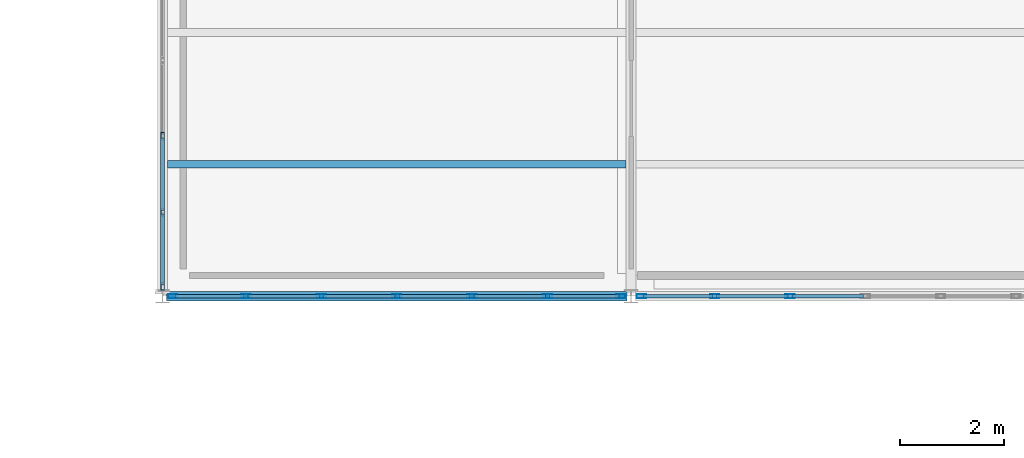
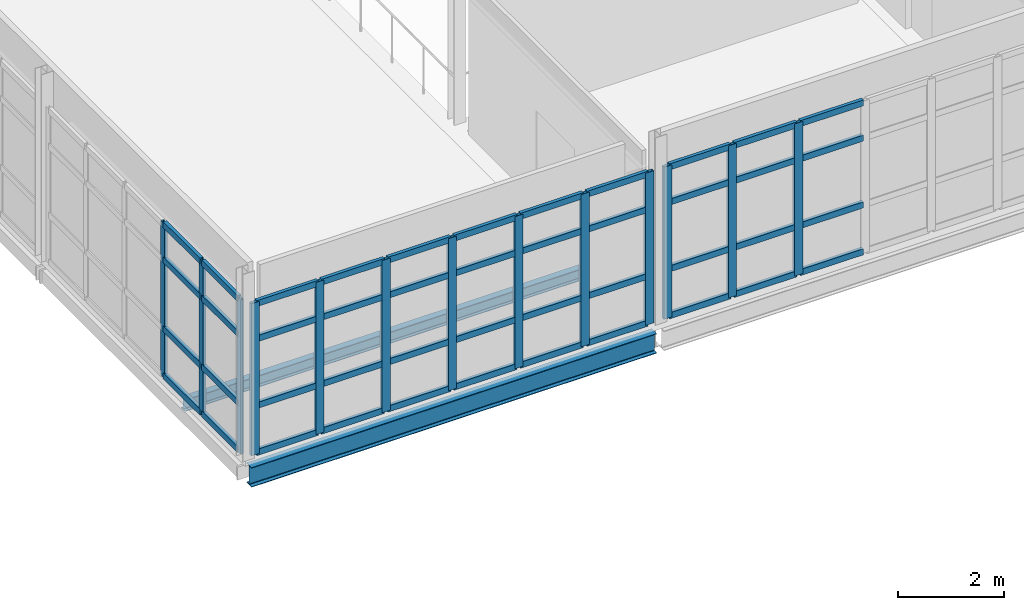
# One storey, part 14 of 48: 57 members, 2 beams, 3 elements without a shape of their own.
"""IFC4 building model written with IfcOpenShell, lengths in metres."""

import ifcopenshell
import ifcopenshell.guid

model = None  # the IFC model being written
_history = None  # IfcOwnerHistory: only IFC2X3 demands one
_inside = {}  # id of a spatial element -> (the spatial element, [elements in it])
_under = {}  # id of a project, library or spatial element -> (it, [spatial elements below it])
_declared = {}  # id of a project -> (the project, [libraries it declares])
_typed = {}  # id of a type object -> (the type object, [elements of that type])
_made_of = {}  # id of a material, layer set ... -> (it, [elements and type objects made of it])


def new_model(schema):
    """Start an empty IFC model of exactly this schema.

    Asked for "IFC4X3", IfcOpenShell would pick the latest addendum, in which some entities
    have other attributes; the version numbers below select the first issue.
    IFC2X3 requires an IfcOwnerHistory on every rooted entity: one is made here for all.
    """
    global model, _history
    if schema == "IFC4X3":
        model = ifcopenshell.file(schema_version=(4, 3, 0, 0))
    else:
        model = ifcopenshell.file(schema=schema)
    _inside.clear()
    _under.clear()
    _declared.clear()
    _typed.clear()
    _made_of.clear()
    _history = None
    if model.schema == "IFC2X3":
        org = make("IfcOrganization", Name="unknown")
        user = make(
            "IfcPersonAndOrganization",
            ThePerson=make("IfcPerson", FamilyName="unknown"),
            TheOrganization=org,
        )
        app = make(
            "IfcApplication",
            ApplicationDeveloper=org,
            Version="unknown",
            ApplicationFullName="unknown",
            ApplicationIdentifier="unknown",
        )
        _history = make(
            "IfcOwnerHistory",
            OwningUser=user,
            OwningApplication=app,
            ChangeAction="ADDED",
            CreationDate=0,
        )
    return model


def make(cls, **values):
    """One entity of the class cls with the attributes given. An attribute that is None is left unset."""
    return model.create_entity(
        cls, **{name: value for name, value in values.items() if value is not None}
    )


def rooted(cls, **values):
    """An entity with a GlobalId (a new one), such as an element, a storey or a relation."""
    return make(cls, GlobalId=ifcopenshell.guid.new(), OwnerHistory=_history, **values)


def si_unit(unit_type, name, prefix=None):
    """IfcSIUnit, for example si_unit("LENGTHUNIT", "METRE", prefix="MILLI")."""
    return make("IfcSIUnit", UnitType=unit_type, Prefix=prefix, Name=name)


def assignment(units):
    """IfcUnitAssignment: the units of a project."""
    return None if units is None else make("IfcUnitAssignment", Units=units)


def point(xyz):
    """IfcCartesianPoint."""
    return None if xyz is None else make("IfcCartesianPoint", Coordinates=xyz)


def direction(xyz):
    """IfcDirection."""
    return None if xyz is None else make("IfcDirection", DirectionRatios=xyz)


def frame(location, z_axis=None, x_axis=None):
    """IfcAxis2Placement3D, a coordinate frame: its origin and axes. An axis left out is left unset."""
    return make(
        "IfcAxis2Placement3D",
        Location=point(location),
        Axis=direction(z_axis),
        RefDirection=direction(x_axis),
    )


def frame_2d(location, x_axis=None):
    """IfcAxis2Placement2D, a coordinate frame in the plane: its origin and x axis."""
    return make(
        "IfcAxis2Placement2D", Location=point(location), RefDirection=direction(x_axis)
    )


def origin():
    """The frame at (0, 0, 0) with its axes left unset."""
    return frame((0.0, 0.0, 0.0))


def origin_2d():
    """The frame at (0, 0) in the plane with its x axis left unset."""
    return frame_2d((0.0, 0.0))


def place(relative_to, where):
    """IfcLocalPlacement: puts the frame where relative to a parent placement (None: the world)."""
    return make(
        "IfcLocalPlacement", PlacementRelTo=relative_to, RelativePlacement=where
    )


def context(
    kind, dimensions, precision=None, world=None, true_north=None, identifier=None
):
    """IfcGeometricRepresentationContext, for example the 3D "Model" context."""
    return make(
        "IfcGeometricRepresentationContext",
        ContextIdentifier=identifier,
        ContextType=kind,
        CoordinateSpaceDimension=dimensions,
        Precision=precision,
        WorldCoordinateSystem=world,
        TrueNorth=true_north,
    )


def subcontext(parent, identifier, kind, view, scale=None):
    """IfcGeometricRepresentationSubContext, for example "Body" below "Model"."""
    return make(
        "IfcGeometricRepresentationSubContext",
        ContextIdentifier=identifier,
        ContextType=kind,
        ParentContext=parent,
        TargetScale=scale,
        TargetView=view,
    )


def project(units=None, contexts=None):
    """IfcProject with its units and contexts."""
    return rooted(
        "IfcProject",
        Name="project",
        RepresentationContexts=contexts,
        UnitsInContext=assignment(units),
    )


def spatial(cls, under=None, at=None, **own):
    """A site, building, storey or space (cls), placed at a placement, below another one or the project."""
    s = rooted(cls, ObjectPlacement=at, **own)
    if under is not None:
        _under.setdefault(under.id(), (under, []))[1].append(s)
    return s


def profile(cls, at=None, kind="AREA", **sizes):
    """A parametric profile (cls). Its sizes go by their IFC names, for example OverallWidth=200.0."""
    return make(cls, ProfileType=kind, Position=at, **sizes)


def hollow_rectangle(**sizes):
    """IfcRectangleHollowProfileDef."""
    return profile("IfcRectangleHollowProfileDef", **sizes)


def i_section(**sizes):
    """IfcIShapeProfileDef."""
    return profile("IfcIShapeProfileDef", **sizes)


def extrude(swept, where, along, depth):
    """IfcExtrudedAreaSolid: the profile swept, set in the frame where, extruded along a direction by depth."""
    return make(
        "IfcExtrudedAreaSolid",
        SweptArea=swept,
        Position=where,
        ExtrudedDirection=direction(along),
        Depth=depth,
    )


def shape(context_of_items, identifier, shape_type, items):
    """IfcShapeRepresentation: the items that make up one representation, for example the "Body"."""
    return make(
        "IfcShapeRepresentation",
        ContextOfItems=context_of_items,
        RepresentationIdentifier=identifier,
        RepresentationType=shape_type,
        Items=items,
    )


def material(Name=None, Category=None):
    """IfcMaterial."""
    return make("IfcMaterial", Name=Name, Category=Category)


def material_profile(
    of_material, cross_section, Name=None, Category=None, Priority=None
):
    """IfcMaterialProfile: a cross section and its material."""
    return make(
        "IfcMaterialProfile",
        Name=Name,
        Material=of_material,
        Profile=cross_section,
        Priority=Priority,
        Category=Category,
    )


def profile_set(profiles, Name=None, composite=None):
    """IfcMaterialProfileSet."""
    return make(
        "IfcMaterialProfileSet",
        Name=Name,
        MaterialProfiles=profiles,
        CompositeProfile=composite,
    )


def made_of(thing, what):
    """Note that an element or type object is made of a material, layer set ...; save() writes the relation."""
    if what is not None:
        _made_of.setdefault(what.id(), (what, []))[1].append(thing)
    return thing


def type_object(cls, material=None, **own):
    """A type object (cls), such as IfcWallType, which elements share."""
    return made_of(rooted(cls, **own), material)


def element(
    cls,
    number,
    at=None,
    inside=None,
    cuts=None,
    type_object=None,
    material=None,
    context=None,
    identifier="Body",
    shape_type=None,
    held_by="IfcProductDefinitionShape",
    body=None,
    shapes=None,
    **own,
):
    """One element of the class cls, such as IfcWall. Its Tag is "e" and its number.

    at: its placement. inside: the storey or other place that contains it. cuts: it is an
    opening in that element (IfcRelVoidsElement). A single representation is given by context,
    identifier, shape_type and body (its items); several are given by shapes. held_by: the class
    of the entity that holds the representations. save() writes the other relations.
    """
    e = rooted(cls, Tag="e%d" % number, ObjectPlacement=at, **own)
    if body is not None:
        shapes = [shape(context, identifier, shape_type, body)]
    if shapes is not None:
        e.Representation = make(held_by, Representations=shapes)
    if inside is not None:
        _inside.setdefault(inside.id(), (inside, []))[1].append(e)
    if cuts is not None:
        rooted(
            "IfcRelVoidsElement", RelatingBuildingElement=cuts, RelatedOpeningElement=e
        )
    if type_object is not None:
        _typed.setdefault(type_object.id(), (type_object, []))[1].append(e)
    return made_of(e, material)


def aggregate(whole, parts):
    """IfcRelAggregates: a whole, such as a stair, and the parts it consists of."""
    return rooted("IfcRelAggregates", RelatingObject=whole, RelatedObjects=parts)


def save(model, path):
    """Write the relations noted so far, then the file.

    IfcRelAggregates (storeys below a building ...), IfcRelContainedInSpatialStructure (elements
    in a storey), IfcRelDefinesByType, IfcRelAssociatesMaterial and IfcRelDeclares: one each for
    every whole, place, type object, material and project.
    """
    for whole, parts in _under.values():
        aggregate(whole, parts)
    for where, things in _inside.values():
        rooted(
            "IfcRelContainedInSpatialStructure",
            RelatedElements=things,
            RelatingStructure=where,
        )
    for kind, things in _typed.values():
        rooted("IfcRelDefinesByType", RelatedObjects=things, RelatingType=kind)
    for what, things in _made_of.values():
        rooted("IfcRelAssociatesMaterial", RelatedObjects=things, RelatingMaterial=what)
    for by, libraries in _declared.values():
        rooted("IfcRelDeclares", RelatingContext=by, RelatedDefinitions=libraries)
    model.write(path)


model = new_model("IFC4")

# Units and contexts
model_context = context("Model", 3, precision=1e-05, world=origin(), true_north=direction((0.0, 1.0)))
body_context = subcontext(model_context, "Body", "Model", "MODEL_VIEW")
ifc_project = project(units=[si_unit("LENGTHUNIT", "METRE"), si_unit("AREAUNIT", "SQUARE_METRE"), si_unit("VOLUMEUNIT", "CUBIC_METRE"), si_unit("PLANEANGLEUNIT", "RADIAN"), si_unit("MASSUNIT", "GRAM", prefix="KILO")], contexts=[model_context])

# Site, building, storey
site_placement = place(None, origin())
site = spatial("IfcSite", under=ifc_project, at=site_placement, CompositionType="ELEMENT")
building_placement = place(site_placement, origin())
building = spatial("IfcBuilding", under=site, at=building_placement, Name="Caisbarro Railhouse Central Library", CompositionType="ELEMENT")
storey_placement = place(building_placement, frame((0.0, 0.0, 18.0)))
storey = spatial("IfcBuildingStorey", under=building, at=storey_placement, Name="L04", CompositionType="ELEMENT", Elevation=18.0)

# Beams
ifc_material_1 = material(Name="Steel ASTM A572 Grade 50", Category="steel")
ifc_material_profile_1 = material_profile(ifc_material_1, i_section(OverallWidth=0.14794921875, OverallDepth=0.26611328125, WebThickness=0.007568359375, FlangeThickness=0.012939453125, FilletRadius=0.010009765625, at=origin_2d()), Name="W250X44.8")
ifc_profile_set_1 = profile_set([ifc_material_profile_1], Name="Steel ASTM A572 Grade 50")
beam_type_1 = type_object("IfcBeamType", Name="BM-J04", PredefinedType="JOIST", material=ifc_profile_set_1)
beam_1_placement = place(storey_placement, frame((117.10009765625, 70.933349609375, -0.35302734375), z_axis=(1.0, 0.0, 0.0), x_axis=(0.0, 1.0, 0.0)))
element("IfcBeam", 1, at=beam_1_placement, inside=storey, type_object=beam_type_1, Name="J04 beam L04 #2116", PredefinedType="JOIST", context=body_context, shape_type="SweptSolid", body=[
    extrude(i_section(OverallWidth=0.14794921875, OverallDepth=0.26611328125, WebThickness=0.007568359375, FlangeThickness=0.012939453125, FilletRadius=0.010009765625, at=origin_2d()), origin(), (0.0, 0.0, 1.0), 8.804931640625),
])
ifc_material_profile_2 = material_profile(ifc_material_1, i_section(OverallWidth=0.18994140625, OverallDepth=0.45703125, WebThickness=0.009033203125, FlangeThickness=0.014404296875, FilletRadius=0.01806640625, at=origin_2d()), Name="W460X74.0")
ifc_profile_set_2 = profile_set([ifc_material_profile_2], Name="Steel ASTM A572 Grade 50")
beam_type_2 = type_object("IfcBeamType", Name="BM-SP01", PredefinedType="SPANDREL", material=ifc_profile_set_2)
beam_2_placement = place(storey_placement, frame((117.080078125, 68.39990234375, -0.448486328125), z_axis=(1.0, 0.0, 0.0), x_axis=(0.0, 1.0, 0.0)))
element("IfcBeam", 2, at=beam_2_placement, inside=storey, type_object=beam_type_2, Name="SP01 beam L04 #2075", PredefinedType="SPANDREL", context=body_context, shape_type="SweptSolid", body=[
    extrude(i_section(OverallWidth=0.18994140625, OverallDepth=0.45703125, WebThickness=0.009033203125, FlangeThickness=0.014404296875, FilletRadius=0.01806640625, at=origin_2d()), origin(), (0.0, 0.0, 1.0), 8.83984375),
])

# Curtain wall, members
ifc_material_2 = material(Name="Anodised architectural aluminium", Category="aluminium")
curtain_wall_type = type_object("IfcCurtainWallType", Name="CW-CW02", PredefinedType="NOTDEFINED", material=ifc_material_2)
curtain_wall_1_placement = place(storey_placement, origin())
curtain_wall_1 = element("IfcCurtainWall", 3, at=curtain_wall_1_placement, inside=storey, type_object=curtain_wall_type, Name="CW02 curtain wall L04 #161", PredefinedType="NOTDEFINED")
ifc_material_profile_3 = material_profile(ifc_material_2, hollow_rectangle(XDim=0.074951171875, YDim=0.179931640625, WallThickness=0.00439453125, at=origin_2d()), Name="ALU-MUL-75X180")
ifc_profile_set_3 = profile_set([ifc_material_profile_3], Name="Anodised architectural aluminium")
member_type_1 = type_object("IfcMemberType", Name="CWM-M01", PredefinedType="MULLION", material=ifc_profile_set_3)
member_1_placement = place(storey_placement, frame((117.197509765625, 68.39990234375, 0.0), z_axis=(0.0, 0.0, 1.0), x_axis=(0.0, 1.0, 0.0)))
member_1 = element("IfcMember", 4, at=member_1_placement, type_object=member_type_1, Name="CW02 mullion 1", PredefinedType="MULLION", context=body_context, shape_type="SweptSolid", body=[
    extrude(hollow_rectangle(XDim=0.074951171875, YDim=0.179931640625, WallThickness=0.00439453125, at=origin_2d()), origin(), (0.0, 0.0, 1.0), 3.510009765625),
])
member_2_placement = place(storey_placement, frame((118.606689453125, 68.39990234375, 0.0), z_axis=(0.0, 0.0, 1.0), x_axis=(0.0, 1.0, 0.0)))
member_2 = element("IfcMember", 5, at=member_2_placement, type_object=member_type_1, Name="CW02 mullion 2", PredefinedType="MULLION", context=body_context, shape_type="SweptSolid", body=[
    extrude(hollow_rectangle(XDim=0.074951171875, YDim=0.179931640625, WallThickness=0.00439453125, at=origin_2d()), origin(), (0.0, 0.0, 1.0), 3.510009765625),
])
member_3_placement = place(storey_placement, frame((120.05322265625, 68.39990234375, 0.0), z_axis=(0.0, 0.0, 1.0), x_axis=(0.0, 1.0, 0.0)))
member_3 = element("IfcMember", 6, at=member_3_placement, type_object=member_type_1, Name="CW02 mullion 3", PredefinedType="MULLION", context=body_context, shape_type="SweptSolid", body=[
    extrude(hollow_rectangle(XDim=0.074951171875, YDim=0.179931640625, WallThickness=0.00439453125, at=origin_2d()), origin(), (0.0, 0.0, 1.0), 3.510009765625),
])
member_4_placement = place(storey_placement, frame((121.5, 68.39990234375, 0.0), z_axis=(0.0, 0.0, 1.0), x_axis=(0.0, 1.0, 0.0)))
member_4 = element("IfcMember", 7, at=member_4_placement, type_object=member_type_1, Name="CW02 mullion 4", PredefinedType="MULLION", context=body_context, shape_type="SweptSolid", body=[
    extrude(hollow_rectangle(XDim=0.074951171875, YDim=0.179931640625, WallThickness=0.00439453125, at=origin_2d()), origin(), (0.0, 0.0, 1.0), 3.510009765625),
])
member_5_placement = place(storey_placement, frame((122.94677734375, 68.39990234375, 0.0), z_axis=(0.0, 0.0, 1.0), x_axis=(0.0, 1.0, 0.0)))
member_5 = element("IfcMember", 8, at=member_5_placement, type_object=member_type_1, Name="CW02 mullion 5", PredefinedType="MULLION", context=body_context, shape_type="SweptSolid", body=[
    extrude(hollow_rectangle(XDim=0.074951171875, YDim=0.179931640625, WallThickness=0.00439453125, at=origin_2d()), origin(), (0.0, 0.0, 1.0), 3.510009765625),
])
member_6_placement = place(storey_placement, frame((124.393310546875, 68.39990234375, 0.0), z_axis=(0.0, 0.0, 1.0), x_axis=(0.0, 1.0, 0.0)))
member_6 = element("IfcMember", 9, at=member_6_placement, type_object=member_type_1, Name="CW02 mullion 6", PredefinedType="MULLION", context=body_context, shape_type="SweptSolid", body=[
    extrude(hollow_rectangle(XDim=0.074951171875, YDim=0.179931640625, WallThickness=0.00439453125, at=origin_2d()), origin(), (0.0, 0.0, 1.0), 3.510009765625),
])
member_7_placement = place(storey_placement, frame((125.802490234375, 68.39990234375, 0.0), z_axis=(0.0, 0.0, 1.0), x_axis=(0.0, 1.0, 0.0)))
member_7 = element("IfcMember", 10, at=member_7_placement, type_object=member_type_1, Name="CW02 mullion 7", PredefinedType="MULLION", context=body_context, shape_type="SweptSolid", body=[
    extrude(hollow_rectangle(XDim=0.074951171875, YDim=0.179931640625, WallThickness=0.00439453125, at=origin_2d()), origin(), (0.0, 0.0, 1.0), 3.510009765625),
])

curtain_wall_2_placement = place(storey_placement, origin())
curtain_wall_2 = element("IfcCurtainWall", 11, at=curtain_wall_2_placement, inside=storey, type_object=curtain_wall_type, Name="CW02 curtain wall L04 #162", PredefinedType="NOTDEFINED")
member_8_placement = place(storey_placement, frame((126.197509765625, 68.39990234375, 0.0), z_axis=(0.0, 0.0, 1.0), x_axis=(0.0, 1.0, 0.0)))
member_8 = element("IfcMember", 12, at=member_8_placement, type_object=member_type_1, Name="CW02 mullion 1", PredefinedType="MULLION", context=body_context, shape_type="SweptSolid", body=[
    extrude(hollow_rectangle(XDim=0.074951171875, YDim=0.179931640625, WallThickness=0.00439453125, at=origin_2d()), origin(), (0.0, 0.0, 1.0), 3.510009765625),
])
member_9_placement = place(storey_placement, frame((127.606689453125, 68.39990234375, 0.0), z_axis=(0.0, 0.0, 1.0), x_axis=(0.0, 1.0, 0.0)))
member_9 = element("IfcMember", 13, at=member_9_placement, type_object=member_type_1, Name="CW02 mullion 2", PredefinedType="MULLION", context=body_context, shape_type="SweptSolid", body=[
    extrude(hollow_rectangle(XDim=0.074951171875, YDim=0.179931640625, WallThickness=0.00439453125, at=origin_2d()), origin(), (0.0, 0.0, 1.0), 3.510009765625),
])
member_10_placement = place(storey_placement, frame((129.05322265625, 68.39990234375, 0.0), z_axis=(0.0, 0.0, 1.0), x_axis=(0.0, 1.0, 0.0)))
member_10 = element("IfcMember", 14, at=member_10_placement, type_object=member_type_1, Name="CW02 mullion 3", PredefinedType="MULLION", context=body_context, shape_type="SweptSolid", body=[
    extrude(hollow_rectangle(XDim=0.074951171875, YDim=0.179931640625, WallThickness=0.00439453125, at=origin_2d()), origin(), (0.0, 0.0, 1.0), 3.510009765625),
])

curtain_wall_3_placement = place(storey_placement, origin())
curtain_wall_3 = element("IfcCurtainWall", 15, at=curtain_wall_3_placement, inside=storey, type_object=curtain_wall_type, Name="CW02 curtain wall L04 #155", PredefinedType="NOTDEFINED")
ifc_material_profile_4 = material_profile(ifc_material_2, hollow_rectangle(XDim=0.06494140625, YDim=0.14990234375, WallThickness=0.00390625, at=origin_2d()), Name="ALU-MUL-65X150")
ifc_profile_set_4 = profile_set([ifc_material_profile_4], Name="Anodised architectural aluminium")
member_type_2 = type_object("IfcMemberType", Name="CWM-M02", PredefinedType="MULLION", material=ifc_profile_set_4)
member_11_placement = place(storey_placement, frame((117.0, 68.592529296875, 0.0), z_axis=(0.0, 0.0, 1.0), x_axis=(-1.0, 0.0, 0.0)))
member_11 = element("IfcMember", 16, at=member_11_placement, type_object=member_type_2, Name="CW02 mullion 1", PredefinedType="MULLION", context=body_context, shape_type="SweptSolid", body=[
    extrude(hollow_rectangle(XDim=0.06494140625, YDim=0.14990234375, WallThickness=0.00390625, at=origin_2d()), origin(), (0.0, 0.0, 1.0), 3.56005859375),
])
member_12_placement = place(storey_placement, frame((117.0, 70.01611328125, 0.0), z_axis=(0.0, 0.0, 1.0), x_axis=(-1.0, 0.0, 0.0)))
member_12 = element("IfcMember", 17, at=member_12_placement, type_object=member_type_2, Name="CW02 mullion 2", PredefinedType="MULLION", context=body_context, shape_type="SweptSolid", body=[
    extrude(hollow_rectangle(XDim=0.06494140625, YDim=0.14990234375, WallThickness=0.00390625, at=origin_2d()), origin(), (0.0, 0.0, 1.0), 3.56005859375),
])
member_13_placement = place(storey_placement, frame((117.0, 71.471923828125, 0.0), z_axis=(0.0, 0.0, 1.0), x_axis=(-1.0, 0.0, 0.0)))
member_13 = element("IfcMember", 18, at=member_13_placement, type_object=member_type_2, Name="CW02 mullion 3", PredefinedType="MULLION", context=body_context, shape_type="SweptSolid", body=[
    extrude(hollow_rectangle(XDim=0.06494140625, YDim=0.14990234375, WallThickness=0.00390625, at=origin_2d()), origin(), (0.0, 0.0, 1.0), 3.56005859375),
])
ifc_material_profile_5 = material_profile(ifc_material_2, hollow_rectangle(XDim=0.074951171875, YDim=0.139892578125, WallThickness=0.00390625, at=origin_2d()), Name="ALU-TRN-75X140")
ifc_profile_set_5 = profile_set([ifc_material_profile_5], Name="Anodised architectural aluminium")
member_type_3 = type_object("IfcMemberType", Name="CWT-T01", PredefinedType="USERDEFINED", material=ifc_profile_set_5)
member_14_placement = place(storey_placement, frame((117.0, 68.625, 0.03759765625), z_axis=(0.0, 1.0, 0.0), x_axis=(-1.0, 0.0, 0.0)))
member_14 = element("IfcMember", 19, at=member_14_placement, type_object=member_type_3, Name="CW02 transom 1.1", ObjectType="TRANSOM", PredefinedType="USERDEFINED", context=body_context, shape_type="SweptSolid", body=[
    extrude(hollow_rectangle(XDim=0.074951171875, YDim=0.139892578125, WallThickness=0.00390625, at=origin_2d()), origin(), (0.0, 0.0, 1.0), 1.3583984375),
])
member_15_placement = place(storey_placement, frame((117.0, 68.625, 1.1201171875), z_axis=(0.0, 1.0, 0.0), x_axis=(-1.0, 0.0, 0.0)))
member_15 = element("IfcMember", 20, at=member_15_placement, type_object=member_type_3, Name="CW02 transom 1.2", ObjectType="TRANSOM", PredefinedType="USERDEFINED", context=body_context, shape_type="SweptSolid", body=[
    extrude(hollow_rectangle(XDim=0.074951171875, YDim=0.139892578125, WallThickness=0.00390625, at=origin_2d()), origin(), (0.0, 0.0, 1.0), 1.3583984375),
])
member_16_placement = place(storey_placement, frame((117.0, 68.625, 2.7099609375), z_axis=(0.0, 1.0, 0.0), x_axis=(-1.0, 0.0, 0.0)))
member_16 = element("IfcMember", 21, at=member_16_placement, type_object=member_type_3, Name="CW02 transom 1.3", ObjectType="TRANSOM", PredefinedType="USERDEFINED", context=body_context, shape_type="SweptSolid", body=[
    extrude(hollow_rectangle(XDim=0.074951171875, YDim=0.139892578125, WallThickness=0.00390625, at=origin_2d()), origin(), (0.0, 0.0, 1.0), 1.3583984375),
])
member_17_placement = place(storey_placement, frame((117.0, 68.625, 3.5224609375), z_axis=(0.0, 1.0, 0.0), x_axis=(-1.0, 0.0, 0.0)))
member_17 = element("IfcMember", 22, at=member_17_placement, type_object=member_type_3, Name="CW02 transom 1.4", ObjectType="TRANSOM", PredefinedType="USERDEFINED", context=body_context, shape_type="SweptSolid", body=[
    extrude(hollow_rectangle(XDim=0.074951171875, YDim=0.139892578125, WallThickness=0.00390625, at=origin_2d()), origin(), (0.0, 0.0, 1.0), 1.3583984375),
])
member_18_placement = place(storey_placement, frame((117.0, 70.048583984375, 0.03759765625), z_axis=(0.0, 1.0, 0.0), x_axis=(-1.0, 0.0, 0.0)))
member_18 = element("IfcMember", 23, at=member_18_placement, type_object=member_type_3, Name="CW02 transom 2.1", ObjectType="TRANSOM", PredefinedType="USERDEFINED", context=body_context, shape_type="SweptSolid", body=[
    extrude(hollow_rectangle(XDim=0.074951171875, YDim=0.139892578125, WallThickness=0.00390625, at=origin_2d()), origin(), (0.0, 0.0, 1.0), 1.390869140625),
])
member_19_placement = place(storey_placement, frame((117.0, 70.048583984375, 1.1201171875), z_axis=(0.0, 1.0, 0.0), x_axis=(-1.0, 0.0, 0.0)))
member_19 = element("IfcMember", 24, at=member_19_placement, type_object=member_type_3, Name="CW02 transom 2.2", ObjectType="TRANSOM", PredefinedType="USERDEFINED", context=body_context, shape_type="SweptSolid", body=[
    extrude(hollow_rectangle(XDim=0.074951171875, YDim=0.139892578125, WallThickness=0.00390625, at=origin_2d()), origin(), (0.0, 0.0, 1.0), 1.390869140625),
])
member_20_placement = place(storey_placement, frame((117.0, 70.048583984375, 2.7099609375), z_axis=(0.0, 1.0, 0.0), x_axis=(-1.0, 0.0, 0.0)))
member_20 = element("IfcMember", 25, at=member_20_placement, type_object=member_type_3, Name="CW02 transom 2.3", ObjectType="TRANSOM", PredefinedType="USERDEFINED", context=body_context, shape_type="SweptSolid", body=[
    extrude(hollow_rectangle(XDim=0.074951171875, YDim=0.139892578125, WallThickness=0.00390625, at=origin_2d()), origin(), (0.0, 0.0, 1.0), 1.390869140625),
])
member_21_placement = place(storey_placement, frame((117.0, 70.048583984375, 3.5224609375), z_axis=(0.0, 1.0, 0.0), x_axis=(-1.0, 0.0, 0.0)))
member_21 = element("IfcMember", 26, at=member_21_placement, type_object=member_type_3, Name="CW02 transom 2.4", ObjectType="TRANSOM", PredefinedType="USERDEFINED", context=body_context, shape_type="SweptSolid", body=[
    extrude(hollow_rectangle(XDim=0.074951171875, YDim=0.139892578125, WallThickness=0.00390625, at=origin_2d()), origin(), (0.0, 0.0, 1.0), 1.390869140625),
])
aggregate(curtain_wall_3, [member_11, member_12, member_13, member_14, member_15, member_16, member_17, member_18, member_19, member_20, member_21])

# Member
member_22_placement = place(storey_placement, frame((117.235107421875, 68.39990234375, 0.03759765625), z_axis=(1.0, 0.0, 0.0), x_axis=(0.0, 1.0, 0.0)))
member_22 = element("IfcMember", 27, at=member_22_placement, type_object=member_type_3, Name="CW02 transom 1.1", ObjectType="TRANSOM", PredefinedType="USERDEFINED", context=body_context, shape_type="SweptSolid", body=[
    extrude(hollow_rectangle(XDim=0.074951171875, YDim=0.139892578125, WallThickness=0.00390625, at=origin_2d()), origin(), (0.0, 0.0, 1.0), 1.333984375),
])

member_23_placement = place(storey_placement, frame((117.235107421875, 68.39990234375, 1.1201171875), z_axis=(1.0, 0.0, 0.0), x_axis=(0.0, 1.0, 0.0)))
member_23 = element("IfcMember", 28, at=member_23_placement, type_object=member_type_3, Name="CW02 transom 1.2", ObjectType="TRANSOM", PredefinedType="USERDEFINED", context=body_context, shape_type="SweptSolid", body=[
    extrude(hollow_rectangle(XDim=0.074951171875, YDim=0.139892578125, WallThickness=0.00390625, at=origin_2d()), origin(), (0.0, 0.0, 1.0), 1.333984375),
])

member_24_placement = place(storey_placement, frame((117.235107421875, 68.39990234375, 2.659912109375), z_axis=(1.0, 0.0, 0.0), x_axis=(0.0, 1.0, 0.0)))
member_24 = element("IfcMember", 29, at=member_24_placement, type_object=member_type_3, Name="CW02 transom 1.3", ObjectType="TRANSOM", PredefinedType="USERDEFINED", context=body_context, shape_type="SweptSolid", body=[
    extrude(hollow_rectangle(XDim=0.074951171875, YDim=0.139892578125, WallThickness=0.00390625, at=origin_2d()), origin(), (0.0, 0.0, 1.0), 1.333984375),
])

member_25_placement = place(storey_placement, frame((117.235107421875, 68.39990234375, 3.472412109375), z_axis=(1.0, 0.0, 0.0), x_axis=(0.0, 1.0, 0.0)))
member_25 = element("IfcMember", 30, at=member_25_placement, type_object=member_type_3, Name="CW02 transom 1.4", ObjectType="TRANSOM", PredefinedType="USERDEFINED", context=body_context, shape_type="SweptSolid", body=[
    extrude(hollow_rectangle(XDim=0.074951171875, YDim=0.139892578125, WallThickness=0.00390625, at=origin_2d()), origin(), (0.0, 0.0, 1.0), 1.333984375),
])

member_26_placement = place(storey_placement, frame((118.644287109375, 68.39990234375, 0.03759765625), z_axis=(1.0, 0.0, 0.0), x_axis=(0.0, 1.0, 0.0)))
member_26 = element("IfcMember", 31, at=member_26_placement, type_object=member_type_3, Name="CW02 transom 2.1", ObjectType="TRANSOM", PredefinedType="USERDEFINED", context=body_context, shape_type="SweptSolid", body=[
    extrude(hollow_rectangle(XDim=0.074951171875, YDim=0.139892578125, WallThickness=0.00390625, at=origin_2d()), origin(), (0.0, 0.0, 1.0), 1.37158203125),
])

member_27_placement = place(storey_placement, frame((118.644287109375, 68.39990234375, 1.1201171875), z_axis=(1.0, 0.0, 0.0), x_axis=(0.0, 1.0, 0.0)))
member_27 = element("IfcMember", 32, at=member_27_placement, type_object=member_type_3, Name="CW02 transom 2.2", ObjectType="TRANSOM", PredefinedType="USERDEFINED", context=body_context, shape_type="SweptSolid", body=[
    extrude(hollow_rectangle(XDim=0.074951171875, YDim=0.139892578125, WallThickness=0.00390625, at=origin_2d()), origin(), (0.0, 0.0, 1.0), 1.37158203125),
])

member_28_placement = place(storey_placement, frame((118.644287109375, 68.39990234375, 2.659912109375), z_axis=(1.0, 0.0, 0.0), x_axis=(0.0, 1.0, 0.0)))
member_28 = element("IfcMember", 33, at=member_28_placement, type_object=member_type_3, Name="CW02 transom 2.3", ObjectType="TRANSOM", PredefinedType="USERDEFINED", context=body_context, shape_type="SweptSolid", body=[
    extrude(hollow_rectangle(XDim=0.074951171875, YDim=0.139892578125, WallThickness=0.00390625, at=origin_2d()), origin(), (0.0, 0.0, 1.0), 1.37158203125),
])

member_29_placement = place(storey_placement, frame((118.644287109375, 68.39990234375, 3.472412109375), z_axis=(1.0, 0.0, 0.0), x_axis=(0.0, 1.0, 0.0)))
member_29 = element("IfcMember", 34, at=member_29_placement, type_object=member_type_3, Name="CW02 transom 2.4", ObjectType="TRANSOM", PredefinedType="USERDEFINED", context=body_context, shape_type="SweptSolid", body=[
    extrude(hollow_rectangle(XDim=0.074951171875, YDim=0.139892578125, WallThickness=0.00390625, at=origin_2d()), origin(), (0.0, 0.0, 1.0), 1.37158203125),
])

member_30_placement = place(storey_placement, frame((120.0908203125, 68.39990234375, 0.03759765625), z_axis=(1.0, 0.0, 0.0), x_axis=(0.0, 1.0, 0.0)))
member_30 = element("IfcMember", 35, at=member_30_placement, type_object=member_type_3, Name="CW02 transom 3.1", ObjectType="TRANSOM", PredefinedType="USERDEFINED", context=body_context, shape_type="SweptSolid", body=[
    extrude(hollow_rectangle(XDim=0.074951171875, YDim=0.139892578125, WallThickness=0.00390625, at=origin_2d()), origin(), (0.0, 0.0, 1.0), 1.37158203125),
])

member_31_placement = place(storey_placement, frame((120.0908203125, 68.39990234375, 1.1201171875), z_axis=(1.0, 0.0, 0.0), x_axis=(0.0, 1.0, 0.0)))
member_31 = element("IfcMember", 36, at=member_31_placement, type_object=member_type_3, Name="CW02 transom 3.2", ObjectType="TRANSOM", PredefinedType="USERDEFINED", context=body_context, shape_type="SweptSolid", body=[
    extrude(hollow_rectangle(XDim=0.074951171875, YDim=0.139892578125, WallThickness=0.00390625, at=origin_2d()), origin(), (0.0, 0.0, 1.0), 1.37158203125),
])

member_32_placement = place(storey_placement, frame((120.0908203125, 68.39990234375, 2.659912109375), z_axis=(1.0, 0.0, 0.0), x_axis=(0.0, 1.0, 0.0)))
member_32 = element("IfcMember", 37, at=member_32_placement, type_object=member_type_3, Name="CW02 transom 3.3", ObjectType="TRANSOM", PredefinedType="USERDEFINED", context=body_context, shape_type="SweptSolid", body=[
    extrude(hollow_rectangle(XDim=0.074951171875, YDim=0.139892578125, WallThickness=0.00390625, at=origin_2d()), origin(), (0.0, 0.0, 1.0), 1.37158203125),
])

member_33_placement = place(storey_placement, frame((120.0908203125, 68.39990234375, 3.472412109375), z_axis=(1.0, 0.0, 0.0), x_axis=(0.0, 1.0, 0.0)))
member_33 = element("IfcMember", 38, at=member_33_placement, type_object=member_type_3, Name="CW02 transom 3.4", ObjectType="TRANSOM", PredefinedType="USERDEFINED", context=body_context, shape_type="SweptSolid", body=[
    extrude(hollow_rectangle(XDim=0.074951171875, YDim=0.139892578125, WallThickness=0.00390625, at=origin_2d()), origin(), (0.0, 0.0, 1.0), 1.37158203125),
])

member_34_placement = place(storey_placement, frame((121.53759765625, 68.39990234375, 0.03759765625), z_axis=(1.0, 0.0, 0.0), x_axis=(0.0, 1.0, 0.0)))
member_34 = element("IfcMember", 39, at=member_34_placement, type_object=member_type_3, Name="CW02 transom 4.1", ObjectType="TRANSOM", PredefinedType="USERDEFINED", context=body_context, shape_type="SweptSolid", body=[
    extrude(hollow_rectangle(XDim=0.074951171875, YDim=0.139892578125, WallThickness=0.00390625, at=origin_2d()), origin(), (0.0, 0.0, 1.0), 1.37158203125),
])

member_35_placement = place(storey_placement, frame((121.53759765625, 68.39990234375, 1.1201171875), z_axis=(1.0, 0.0, 0.0), x_axis=(0.0, 1.0, 0.0)))
member_35 = element("IfcMember", 40, at=member_35_placement, type_object=member_type_3, Name="CW02 transom 4.2", ObjectType="TRANSOM", PredefinedType="USERDEFINED", context=body_context, shape_type="SweptSolid", body=[
    extrude(hollow_rectangle(XDim=0.074951171875, YDim=0.139892578125, WallThickness=0.00390625, at=origin_2d()), origin(), (0.0, 0.0, 1.0), 1.37158203125),
])

member_36_placement = place(storey_placement, frame((121.53759765625, 68.39990234375, 2.659912109375), z_axis=(1.0, 0.0, 0.0), x_axis=(0.0, 1.0, 0.0)))
member_36 = element("IfcMember", 41, at=member_36_placement, type_object=member_type_3, Name="CW02 transom 4.3", ObjectType="TRANSOM", PredefinedType="USERDEFINED", context=body_context, shape_type="SweptSolid", body=[
    extrude(hollow_rectangle(XDim=0.074951171875, YDim=0.139892578125, WallThickness=0.00390625, at=origin_2d()), origin(), (0.0, 0.0, 1.0), 1.37158203125),
])

member_37_placement = place(storey_placement, frame((121.53759765625, 68.39990234375, 3.472412109375), z_axis=(1.0, 0.0, 0.0), x_axis=(0.0, 1.0, 0.0)))
member_37 = element("IfcMember", 42, at=member_37_placement, type_object=member_type_3, Name="CW02 transom 4.4", ObjectType="TRANSOM", PredefinedType="USERDEFINED", context=body_context, shape_type="SweptSolid", body=[
    extrude(hollow_rectangle(XDim=0.074951171875, YDim=0.139892578125, WallThickness=0.00390625, at=origin_2d()), origin(), (0.0, 0.0, 1.0), 1.37158203125),
])

member_38_placement = place(storey_placement, frame((122.984130859375, 68.39990234375, 0.03759765625), z_axis=(1.0, 0.0, 0.0), x_axis=(0.0, 1.0, 0.0)))
member_38 = element("IfcMember", 43, at=member_38_placement, type_object=member_type_3, Name="CW02 transom 5.1", ObjectType="TRANSOM", PredefinedType="USERDEFINED", context=body_context, shape_type="SweptSolid", body=[
    extrude(hollow_rectangle(XDim=0.074951171875, YDim=0.139892578125, WallThickness=0.00390625, at=origin_2d()), origin(), (0.0, 0.0, 1.0), 1.37158203125),
])

member_39_placement = place(storey_placement, frame((122.984130859375, 68.39990234375, 1.1201171875), z_axis=(1.0, 0.0, 0.0), x_axis=(0.0, 1.0, 0.0)))
member_39 = element("IfcMember", 44, at=member_39_placement, type_object=member_type_3, Name="CW02 transom 5.2", ObjectType="TRANSOM", PredefinedType="USERDEFINED", context=body_context, shape_type="SweptSolid", body=[
    extrude(hollow_rectangle(XDim=0.074951171875, YDim=0.139892578125, WallThickness=0.00390625, at=origin_2d()), origin(), (0.0, 0.0, 1.0), 1.37158203125),
])

member_40_placement = place(storey_placement, frame((122.984130859375, 68.39990234375, 2.659912109375), z_axis=(1.0, 0.0, 0.0), x_axis=(0.0, 1.0, 0.0)))
member_40 = element("IfcMember", 45, at=member_40_placement, type_object=member_type_3, Name="CW02 transom 5.3", ObjectType="TRANSOM", PredefinedType="USERDEFINED", context=body_context, shape_type="SweptSolid", body=[
    extrude(hollow_rectangle(XDim=0.074951171875, YDim=0.139892578125, WallThickness=0.00390625, at=origin_2d()), origin(), (0.0, 0.0, 1.0), 1.37158203125),
])

member_41_placement = place(storey_placement, frame((122.984130859375, 68.39990234375, 3.472412109375), z_axis=(1.0, 0.0, 0.0), x_axis=(0.0, 1.0, 0.0)))
member_41 = element("IfcMember", 46, at=member_41_placement, type_object=member_type_3, Name="CW02 transom 5.4", ObjectType="TRANSOM", PredefinedType="USERDEFINED", context=body_context, shape_type="SweptSolid", body=[
    extrude(hollow_rectangle(XDim=0.074951171875, YDim=0.139892578125, WallThickness=0.00390625, at=origin_2d()), origin(), (0.0, 0.0, 1.0), 1.37158203125),
])

member_42_placement = place(storey_placement, frame((124.430908203125, 68.39990234375, 0.03759765625), z_axis=(1.0, 0.0, 0.0), x_axis=(0.0, 1.0, 0.0)))
member_42 = element("IfcMember", 47, at=member_42_placement, type_object=member_type_3, Name="CW02 transom 6.1", ObjectType="TRANSOM", PredefinedType="USERDEFINED", context=body_context, shape_type="SweptSolid", body=[
    extrude(hollow_rectangle(XDim=0.074951171875, YDim=0.139892578125, WallThickness=0.00390625, at=origin_2d()), origin(), (0.0, 0.0, 1.0), 1.333984375),
])

member_43_placement = place(storey_placement, frame((124.430908203125, 68.39990234375, 1.1201171875), z_axis=(1.0, 0.0, 0.0), x_axis=(0.0, 1.0, 0.0)))
member_43 = element("IfcMember", 48, at=member_43_placement, type_object=member_type_3, Name="CW02 transom 6.2", ObjectType="TRANSOM", PredefinedType="USERDEFINED", context=body_context, shape_type="SweptSolid", body=[
    extrude(hollow_rectangle(XDim=0.074951171875, YDim=0.139892578125, WallThickness=0.00390625, at=origin_2d()), origin(), (0.0, 0.0, 1.0), 1.333984375),
])

member_44_placement = place(storey_placement, frame((124.430908203125, 68.39990234375, 2.659912109375), z_axis=(1.0, 0.0, 0.0), x_axis=(0.0, 1.0, 0.0)))
member_44 = element("IfcMember", 49, at=member_44_placement, type_object=member_type_3, Name="CW02 transom 6.3", ObjectType="TRANSOM", PredefinedType="USERDEFINED", context=body_context, shape_type="SweptSolid", body=[
    extrude(hollow_rectangle(XDim=0.074951171875, YDim=0.139892578125, WallThickness=0.00390625, at=origin_2d()), origin(), (0.0, 0.0, 1.0), 1.333984375),
])

member_45_placement = place(storey_placement, frame((124.430908203125, 68.39990234375, 3.472412109375), z_axis=(1.0, 0.0, 0.0), x_axis=(0.0, 1.0, 0.0)))
member_45 = element("IfcMember", 50, at=member_45_placement, type_object=member_type_3, Name="CW02 transom 6.4", ObjectType="TRANSOM", PredefinedType="USERDEFINED", context=body_context, shape_type="SweptSolid", body=[
    extrude(hollow_rectangle(XDim=0.074951171875, YDim=0.139892578125, WallThickness=0.00390625, at=origin_2d()), origin(), (0.0, 0.0, 1.0), 1.333984375),
])

aggregate(curtain_wall_1, [member_1, member_2, member_3, member_4, member_5, member_6, member_7, member_22, member_23, member_24, member_25, member_26, member_27, member_28, member_29, member_30, member_31, member_32, member_33, member_34, member_35, member_36, member_37, member_38, member_39, member_40, member_41, member_42, member_43, member_44, member_45])

member_46_placement = place(storey_placement, frame((126.235107421875, 68.39990234375, 0.03759765625), z_axis=(1.0, 0.0, 0.0), x_axis=(0.0, 1.0, 0.0)))
member_46 = element("IfcMember", 51, at=member_46_placement, type_object=member_type_3, Name="CW02 transom 1.1", ObjectType="TRANSOM", PredefinedType="USERDEFINED", context=body_context, shape_type="SweptSolid", body=[
    extrude(hollow_rectangle(XDim=0.074951171875, YDim=0.139892578125, WallThickness=0.00390625, at=origin_2d()), origin(), (0.0, 0.0, 1.0), 1.333984375),
])

member_47_placement = place(storey_placement, frame((126.235107421875, 68.39990234375, 1.1201171875), z_axis=(1.0, 0.0, 0.0), x_axis=(0.0, 1.0, 0.0)))
member_47 = element("IfcMember", 52, at=member_47_placement, type_object=member_type_3, Name="CW02 transom 1.2", ObjectType="TRANSOM", PredefinedType="USERDEFINED", context=body_context, shape_type="SweptSolid", body=[
    extrude(hollow_rectangle(XDim=0.074951171875, YDim=0.139892578125, WallThickness=0.00390625, at=origin_2d()), origin(), (0.0, 0.0, 1.0), 1.333984375),
])

member_48_placement = place(storey_placement, frame((126.235107421875, 68.39990234375, 2.659912109375), z_axis=(1.0, 0.0, 0.0), x_axis=(0.0, 1.0, 0.0)))
member_48 = element("IfcMember", 53, at=member_48_placement, type_object=member_type_3, Name="CW02 transom 1.3", ObjectType="TRANSOM", PredefinedType="USERDEFINED", context=body_context, shape_type="SweptSolid", body=[
    extrude(hollow_rectangle(XDim=0.074951171875, YDim=0.139892578125, WallThickness=0.00390625, at=origin_2d()), origin(), (0.0, 0.0, 1.0), 1.333984375),
])

member_49_placement = place(storey_placement, frame((126.235107421875, 68.39990234375, 3.472412109375), z_axis=(1.0, 0.0, 0.0), x_axis=(0.0, 1.0, 0.0)))
member_49 = element("IfcMember", 54, at=member_49_placement, type_object=member_type_3, Name="CW02 transom 1.4", ObjectType="TRANSOM", PredefinedType="USERDEFINED", context=body_context, shape_type="SweptSolid", body=[
    extrude(hollow_rectangle(XDim=0.074951171875, YDim=0.139892578125, WallThickness=0.00390625, at=origin_2d()), origin(), (0.0, 0.0, 1.0), 1.333984375),
])

member_50_placement = place(storey_placement, frame((127.644287109375, 68.39990234375, 0.03759765625), z_axis=(1.0, 0.0, 0.0), x_axis=(0.0, 1.0, 0.0)))
member_50 = element("IfcMember", 55, at=member_50_placement, type_object=member_type_3, Name="CW02 transom 2.1", ObjectType="TRANSOM", PredefinedType="USERDEFINED", context=body_context, shape_type="SweptSolid", body=[
    extrude(hollow_rectangle(XDim=0.074951171875, YDim=0.139892578125, WallThickness=0.00390625, at=origin_2d()), origin(), (0.0, 0.0, 1.0), 1.37158203125),
])

member_51_placement = place(storey_placement, frame((127.644287109375, 68.39990234375, 1.1201171875), z_axis=(1.0, 0.0, 0.0), x_axis=(0.0, 1.0, 0.0)))
member_51 = element("IfcMember", 56, at=member_51_placement, type_object=member_type_3, Name="CW02 transom 2.2", ObjectType="TRANSOM", PredefinedType="USERDEFINED", context=body_context, shape_type="SweptSolid", body=[
    extrude(hollow_rectangle(XDim=0.074951171875, YDim=0.139892578125, WallThickness=0.00390625, at=origin_2d()), origin(), (0.0, 0.0, 1.0), 1.37158203125),
])

member_52_placement = place(storey_placement, frame((127.644287109375, 68.39990234375, 2.659912109375), z_axis=(1.0, 0.0, 0.0), x_axis=(0.0, 1.0, 0.0)))
member_52 = element("IfcMember", 57, at=member_52_placement, type_object=member_type_3, Name="CW02 transom 2.3", ObjectType="TRANSOM", PredefinedType="USERDEFINED", context=body_context, shape_type="SweptSolid", body=[
    extrude(hollow_rectangle(XDim=0.074951171875, YDim=0.139892578125, WallThickness=0.00390625, at=origin_2d()), origin(), (0.0, 0.0, 1.0), 1.37158203125),
])

member_53_placement = place(storey_placement, frame((127.644287109375, 68.39990234375, 3.472412109375), z_axis=(1.0, 0.0, 0.0), x_axis=(0.0, 1.0, 0.0)))
member_53 = element("IfcMember", 58, at=member_53_placement, type_object=member_type_3, Name="CW02 transom 2.4", ObjectType="TRANSOM", PredefinedType="USERDEFINED", context=body_context, shape_type="SweptSolid", body=[
    extrude(hollow_rectangle(XDim=0.074951171875, YDim=0.139892578125, WallThickness=0.00390625, at=origin_2d()), origin(), (0.0, 0.0, 1.0), 1.37158203125),
])

member_54_placement = place(storey_placement, frame((129.0908203125, 68.39990234375, 0.03759765625), z_axis=(1.0, 0.0, 0.0), x_axis=(0.0, 1.0, 0.0)))
member_54 = element("IfcMember", 59, at=member_54_placement, type_object=member_type_3, Name="CW02 transom 3.1", ObjectType="TRANSOM", PredefinedType="USERDEFINED", context=body_context, shape_type="SweptSolid", body=[
    extrude(hollow_rectangle(XDim=0.074951171875, YDim=0.139892578125, WallThickness=0.00390625, at=origin_2d()), origin(), (0.0, 0.0, 1.0), 1.37158203125),
])

member_55_placement = place(storey_placement, frame((129.0908203125, 68.39990234375, 1.1201171875), z_axis=(1.0, 0.0, 0.0), x_axis=(0.0, 1.0, 0.0)))
member_55 = element("IfcMember", 60, at=member_55_placement, type_object=member_type_3, Name="CW02 transom 3.2", ObjectType="TRANSOM", PredefinedType="USERDEFINED", context=body_context, shape_type="SweptSolid", body=[
    extrude(hollow_rectangle(XDim=0.074951171875, YDim=0.139892578125, WallThickness=0.00390625, at=origin_2d()), origin(), (0.0, 0.0, 1.0), 1.37158203125),
])

member_56_placement = place(storey_placement, frame((129.0908203125, 68.39990234375, 2.659912109375), z_axis=(1.0, 0.0, 0.0), x_axis=(0.0, 1.0, 0.0)))
member_56 = element("IfcMember", 61, at=member_56_placement, type_object=member_type_3, Name="CW02 transom 3.3", ObjectType="TRANSOM", PredefinedType="USERDEFINED", context=body_context, shape_type="SweptSolid", body=[
    extrude(hollow_rectangle(XDim=0.074951171875, YDim=0.139892578125, WallThickness=0.00390625, at=origin_2d()), origin(), (0.0, 0.0, 1.0), 1.37158203125),
])

member_57_placement = place(storey_placement, frame((129.0908203125, 68.39990234375, 3.472412109375), z_axis=(1.0, 0.0, 0.0), x_axis=(0.0, 1.0, 0.0)))
member_57 = element("IfcMember", 62, at=member_57_placement, type_object=member_type_3, Name="CW02 transom 3.4", ObjectType="TRANSOM", PredefinedType="USERDEFINED", context=body_context, shape_type="SweptSolid", body=[
    extrude(hollow_rectangle(XDim=0.074951171875, YDim=0.139892578125, WallThickness=0.00390625, at=origin_2d()), origin(), (0.0, 0.0, 1.0), 1.37158203125),
])

aggregate(curtain_wall_2, [member_8, member_9, member_10, member_46, member_47, member_48, member_49, member_50, member_51, member_52, member_53, member_54, member_55, member_56, member_57])

save(model, "model.ifc")
